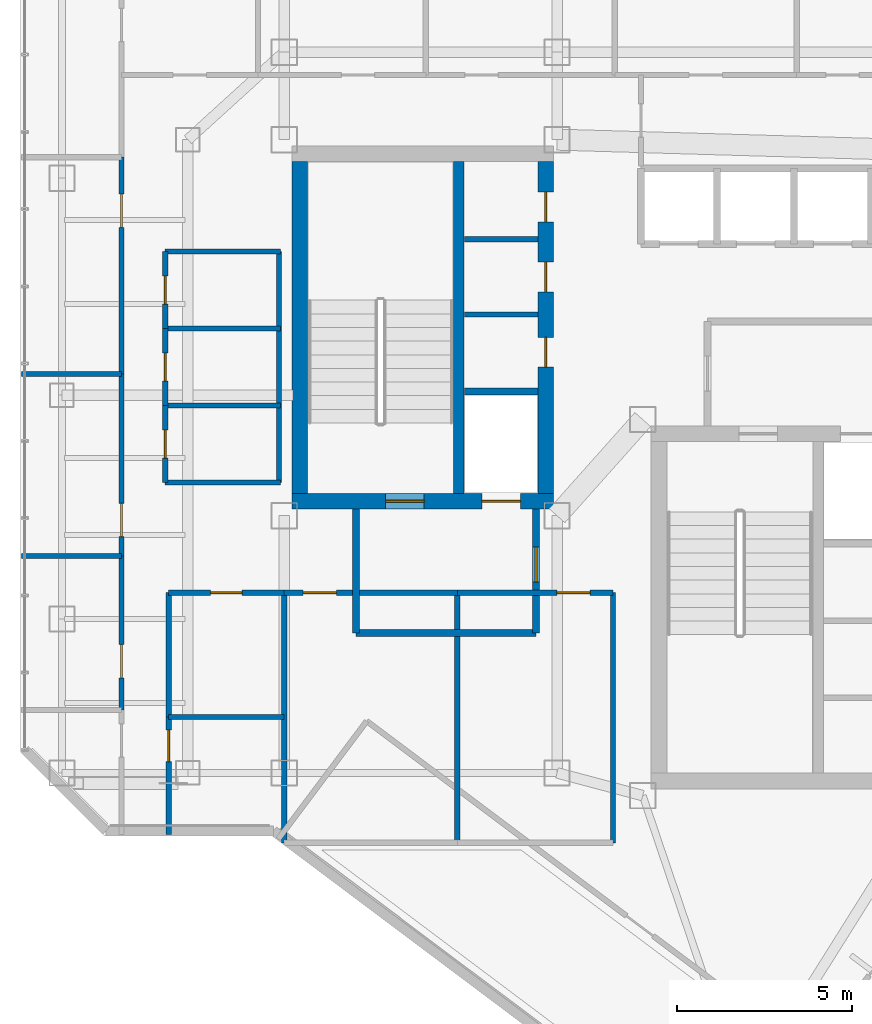
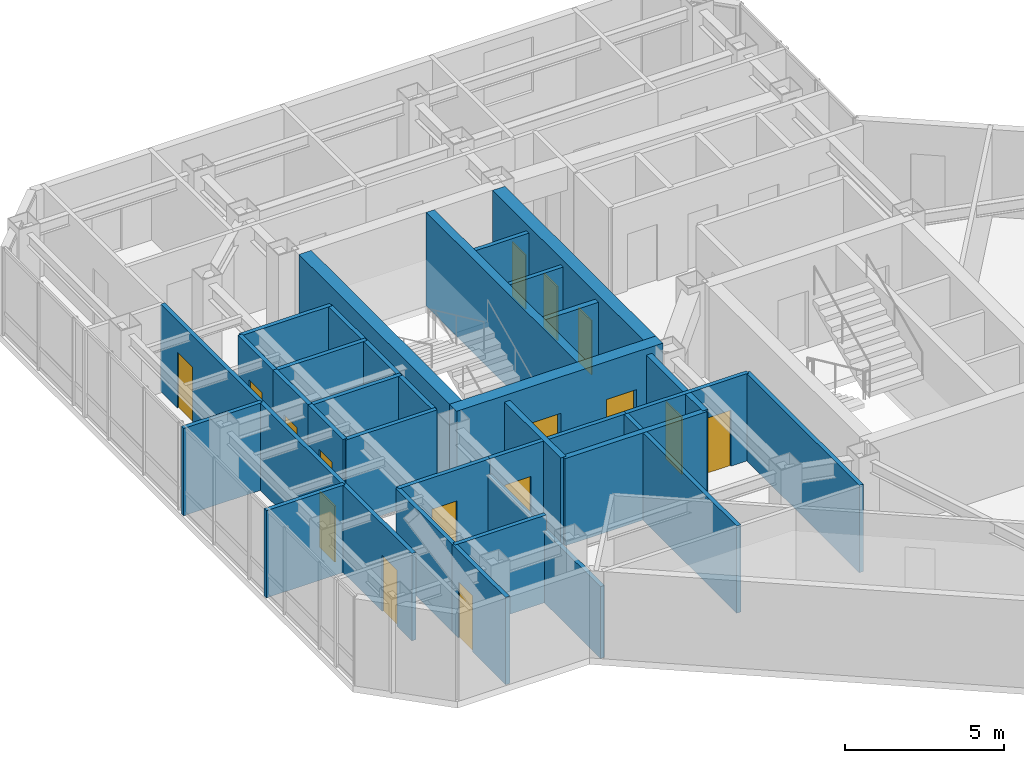
# One storey, part 20 of 26: 32 walls, 16 doors, 16 openings.
"""IFC4 building model written with IfcOpenShell, lengths in metres."""

from ifc_helpers import new_model, si_unit, direction, frame, frame_2d, origin, place, context, subcontext, project, spatial, rectangle, extrude, material, layer, layer_set, type_object, element, fill, save


model = new_model("IFC4")

# Units and contexts
model_context = context("Model", 3, precision=1e-05, world=origin(), true_north=direction((0.0, 1.0)))
body_context = subcontext(model_context, "Body", "Model", "MODEL_VIEW")
ifc_project = project(units=[si_unit("LENGTHUNIT", "METRE"), si_unit("AREAUNIT", "SQUARE_METRE"), si_unit("VOLUMEUNIT", "CUBIC_METRE"), si_unit("PLANEANGLEUNIT", "RADIAN"), si_unit("MASSUNIT", "GRAM", prefix="KILO")], contexts=[model_context])

# Site, building, storey
site_placement = place(None, origin())
site = spatial("IfcSite", under=ifc_project, at=site_placement, CompositionType="ELEMENT")
building_placement = place(site_placement, origin())
building = spatial("IfcBuilding", under=site, at=building_placement, Name="Hatsunagi Terrace Concourse", CompositionType="ELEMENT")
storey_placement = place(building_placement, frame((0.0, 0.0, 195.14990234375)))
storey = spatial("IfcBuildingStorey", under=building, at=storey_placement, Name="L51", CompositionType="ELEMENT", Elevation=195.14990234375)

# Wall, openings, doors
ifc_material_1 = material(Name="Concrete Fc42", Category="concrete")
ifc_layer_1 = layer(ifc_material_1, 0.449951171875)
ifc_layer_set_1 = layer_set([ifc_layer_1], Name="CoreShearWall_Fc42_450")
wall_type_1 = type_object("IfcWallType", Name="CoreShearWall_Fc42_450", PredefinedType="SHEAR", material=ifc_layer_set_1)
wall_1_placement = place(storey_placement, frame((25.77001953125, 32.965087890625, 0.0), z_axis=(0.0, 0.0, 1.0), x_axis=(1.0, 0.0, 0.0)))
wall_1 = element("IfcWall", 1, at=wall_1_placement, inside=storey, type_object=wall_type_1, Name="Core A Shear Wall S L51", PredefinedType="SHEAR", context=body_context, shape_type="SweptSolid", body=[
    extrude(rectangle(XDim=7.47998046875, YDim=0.449951171875, at=frame_2d((3.739990234375, 0.0))), origin(), (0.0, 0.0, 1.0), 3.60009765625),
])
opening_1_placement = place(wall_1_placement, frame((2.679931640625, 0.0, 0.0)))
opening_1 = element("IfcOpeningElement", 2, at=opening_1_placement, cuts=wall_1, Name="Opening DR-110S", PredefinedType="OPENING", context=body_context, shape_type="SweptSolid", body=[
    extrude(rectangle(XDim=1.10009765625, YDim=2.199951171875, at=frame_2d((0.550048828125, 1.10009765625))), frame((0.0, 0.23486328125, 0.0), z_axis=(0.0, -1.0, 0.0), x_axis=(1.0, 0.0, 0.0)), (0.0, 0.0, 1.0), 0.469970703125),
])
opening_2_placement = place(wall_1_placement, frame((5.429931640625, 0.0, 0.0)))
opening_2 = element("IfcOpeningElement", 3, at=opening_2_placement, cuts=wall_1, Name="Opening LD-01", PredefinedType="OPENING", context=body_context, shape_type="SweptSolid", body=[
    extrude(rectangle(XDim=1.10009765625, YDim=2.14990234375, at=frame_2d((0.550048828125, 1.074951171875))), frame((0.0, 0.23486328125, 0.0), z_axis=(0.0, -1.0, 0.0), x_axis=(1.0, 0.0, 0.0)), (0.0, 0.0, 1.0), 0.469970703125),
])
ifc_material_2 = material(Name="Stainless steel", Category="steel")
door_type_1 = type_object("IfcDoorType", Name="LiftLandingDoor_LD01", OperationType="SLIDING_TO_LEFT", PredefinedType="USERDEFINED", material=ifc_material_2)
door_1_placement = place(opening_2_placement, origin())
door_1 = element("IfcDoor", 4, at=door_1_placement, inside=storey, type_object=door_type_1, Name="Lift landing door FF-01 L51", ObjectType="SLIDING_LANDING_DOOR", OperationType="SLIDING_TO_LEFT", OverallHeight=2.14990234375, OverallWidth=1.10009765625, PredefinedType="USERDEFINED", context=body_context, shape_type="SweptSolid", body=[
    extrude(rectangle(XDim=1.10009765625, YDim=2.14990234375, at=frame_2d((0.550048828125, 1.074951171875))), frame((0.0, 0.02490234375, 0.0), z_axis=(0.0, -1.0, 0.0), x_axis=(1.0, 0.0, 0.0)), (0.0, 0.0, 1.0), 0.050048828125),
])
fill(opening_2, door_1)
ifc_material_3 = material(Name="Painted steel", Category="steel")
door_type_2 = type_object("IfcDoorType", Name="StairFireDoor_EI60_1100", OperationType="NOTDEFINED", PredefinedType="DOOR", material=ifc_material_3)
door_2_placement = place(opening_1_placement, origin())
door_2 = element("IfcDoor", 5, at=door_2_placement, inside=storey, type_object=door_type_2, Name="Stair ST-A Exit Door L51", OperationType="SINGLE_SWING_LEFT", OverallHeight=2.199951171875, OverallWidth=1.10009765625, PredefinedType="DOOR", context=body_context, shape_type="SweptSolid", body=[
    extrude(rectangle(XDim=1.10009765625, YDim=2.199951171875, at=frame_2d((0.550048828125, 1.10009765625))), frame((0.0, 0.02490234375, 0.0), z_axis=(0.0, -1.0, 0.0), x_axis=(1.0, 0.0, 0.0)), (0.0, 0.0, 1.0), 0.050048828125),
])
fill(opening_1, door_2)

# Wall
wall_2_placement = place(storey_placement, frame((25.9951171875, 33.18994140625, 0.0), z_axis=(0.0, 0.0, 1.0), x_axis=(0.0, 1.0, 0.0)))
element("IfcWall", 6, at=wall_2_placement, inside=storey, type_object=wall_type_1, Name="Core A Shear Wall W L51", PredefinedType="SHEAR", context=body_context, shape_type="SweptSolid", body=[
    extrude(rectangle(XDim=9.47998046875, YDim=0.449951171875, at=frame_2d((4.739990234375, 0.0))), origin(), (0.0, 0.0, 1.0), 3.60009765625),
])

# Wall, openings, doors
wall_3_placement = place(storey_placement, frame((33.02490234375, 33.18994140625, 0.0), z_axis=(0.0, 0.0, 1.0), x_axis=(0.0, 1.0, 0.0)))
wall_3 = element("IfcWall", 7, at=wall_3_placement, inside=storey, type_object=wall_type_1, Name="Core A Shear Wall E L51", PredefinedType="SHEAR", context=body_context, shape_type="SweptSolid", body=[
    extrude(rectangle(XDim=9.47998046875, YDim=0.449951171875, at=frame_2d((4.739990234375, 0.0))), origin(), (0.0, 0.0, 1.0), 3.60009765625),
])
opening_3_placement = place(wall_3_placement, frame((3.610107421875, 0.0, 0.0)))
opening_3 = element("IfcOpeningElement", 8, at=opening_3_placement, cuts=wall_3, Name="Opening DR-085", PredefinedType="OPENING", context=body_context, shape_type="SweptSolid", body=[
    extrude(rectangle(XDim=0.85009765625, YDim=2.080078125, at=frame_2d((0.425048828125, 1.0400390625))), frame((0.0, 0.23486328125, 0.0), z_axis=(0.0, -1.0, 0.0), x_axis=(1.0, 0.0, 0.0)), (0.0, 0.0, 1.0), 0.469970703125),
])
opening_4_placement = place(wall_3_placement, frame((5.760009765625, 0.0, 0.0)))
opening_4 = element("IfcOpeningElement", 9, at=opening_4_placement, cuts=wall_3, Name="Opening DR-085", PredefinedType="OPENING", context=body_context, shape_type="SweptSolid", body=[
    extrude(rectangle(XDim=0.85009765625, YDim=2.080078125, at=frame_2d((0.425048828125, 1.0400390625))), frame((0.0, 0.23486328125, 0.0), z_axis=(0.0, -1.0, 0.0), x_axis=(1.0, 0.0, 0.0)), (0.0, 0.0, 1.0), 0.469970703125),
])
opening_5_placement = place(wall_3_placement, frame((7.760009765625, 0.0, 0.0)))
opening_5 = element("IfcOpeningElement", 10, at=opening_5_placement, cuts=wall_3, Name="Opening DR-085", PredefinedType="OPENING", context=body_context, shape_type="SweptSolid", body=[
    extrude(rectangle(XDim=0.85009765625, YDim=2.080078125, at=frame_2d((0.425048828125, 1.0400390625))), frame((0.0, 0.23486328125, 0.0), z_axis=(0.0, -1.0, 0.0), x_axis=(1.0, 0.0, 0.0)), (0.0, 0.0, 1.0), 0.469970703125),
])
ifc_material_4 = material(Name="Painted steel", Category="steel")
door_type_3 = type_object("IfcDoorType", Name="RiserAccessDoor_EI60_850", OperationType="NOTDEFINED", PredefinedType="DOOR", material=ifc_material_4)
door_3_placement = place(opening_3_placement, origin())
door_3 = element("IfcDoor", 11, at=door_3_placement, inside=storey, type_object=door_type_3, Name="Core A Riser Door L51-1", OperationType="SINGLE_SWING_LEFT", OverallHeight=2.080078125, OverallWidth=0.85009765625, PredefinedType="DOOR", context=body_context, shape_type="SweptSolid", body=[
    extrude(rectangle(XDim=0.85009765625, YDim=2.080078125, at=frame_2d((0.425048828125, 1.0400390625))), frame((0.0, 0.02490234375, 0.0), z_axis=(0.0, -1.0, 0.0), x_axis=(1.0, 0.0, 0.0)), (0.0, 0.0, 1.0), 0.050048828125),
])
fill(opening_3, door_3)
door_4_placement = place(opening_4_placement, origin())
door_4 = element("IfcDoor", 12, at=door_4_placement, inside=storey, type_object=door_type_3, Name="Core A Riser Door L51-2", OperationType="SINGLE_SWING_LEFT", OverallHeight=2.080078125, OverallWidth=0.85009765625, PredefinedType="DOOR", context=body_context, shape_type="SweptSolid", body=[
    extrude(rectangle(XDim=0.85009765625, YDim=2.080078125, at=frame_2d((0.425048828125, 1.0400390625))), frame((0.0, 0.02490234375, 0.0), z_axis=(0.0, -1.0, 0.0), x_axis=(1.0, 0.0, 0.0)), (0.0, 0.0, 1.0), 0.050048828125),
])
fill(opening_4, door_4)
door_5_placement = place(opening_5_placement, origin())
door_5 = element("IfcDoor", 13, at=door_5_placement, inside=storey, type_object=door_type_3, Name="Core A Riser Door L51-3", OperationType="SINGLE_SWING_LEFT", OverallHeight=2.080078125, OverallWidth=0.85009765625, PredefinedType="DOOR", context=body_context, shape_type="SweptSolid", body=[
    extrude(rectangle(XDim=0.85009765625, YDim=2.080078125, at=frame_2d((0.425048828125, 1.0400390625))), frame((0.0, 0.02490234375, 0.0), z_axis=(0.0, -1.0, 0.0), x_axis=(1.0, 0.0, 0.0)), (0.0, 0.0, 1.0), 0.050048828125),
])
fill(opening_5, door_5)

# Walls
ifc_material_5 = material(Name="Concrete Fc48", Category="concrete")
ifc_layer_2 = layer(ifc_material_5, 0.300048828125)
ifc_layer_set_2 = layer_set([ifc_layer_2], Name="CoreStairDivider_Fc48_300")
wall_type_2 = type_object("IfcWallType", Name="CoreStairDivider_Fc48_300", PredefinedType="SHEAR", material=ifc_layer_set_2)
wall_4_placement = place(storey_placement, frame((30.5400390625, 33.18994140625, 0.0), z_axis=(0.0, 0.0, 1.0), x_axis=(0.0, 1.0, 0.0)))
element("IfcWall", 14, at=wall_4_placement, inside=storey, type_object=wall_type_2, Name="Core A Shear Wall D L51", PredefinedType="SHEAR", context=body_context, shape_type="SweptSolid", body=[
    extrude(rectangle(XDim=9.47998046875, YDim=0.300048828125, at=frame_2d((4.739990234375, 0.0))), origin(), (0.0, 0.0, 1.0), 3.60009765625),
])
ifc_material_6 = material(Name="Acoustic mineral board", Category="gypsum")
ifc_layer_3 = layer(ifc_material_6, 0.14990234375)
ifc_layer_set_3 = layer_set([ifc_layer_3], Name="PartitionWall_EI60_150")
wall_type_3 = type_object("IfcWallType", Name="PartitionWall_EI60_150", PredefinedType="PARTITIONING", material=ifc_layer_set_3)
for number, where, z_axis, x_axis, name in (
    (15, (30.699951171875, 38.300048828125, 0.0), (0.0, 0.0, 1.0), (1.0, 0.0, 0.0), "Interior Partition IW-L51-002"),
    (16, (30.699951171875, 40.449951171875, 0.0), (0.0, 0.0, 1.0), (1.0, 0.0, 0.0), "Interior Partition IW-L51-003"),
):
    element("IfcWall", number, at=place(storey_placement, frame(where, z_axis=z_axis, x_axis=x_axis)), inside=storey, type_object=wall_type_3, Name=name, PredefinedType="PARTITIONING", context=body_context, shape_type="SweptSolid", body=[
        extrude(rectangle(XDim=2.10009765625, YDim=0.14990234375, at=frame_2d((1.050048828125, 0.0))), origin(), (0.0, 0.0, 1.0), 3.35009765625),
    ])
for number, where, z_axis, x_axis, name in (
    (17, (22.14990234375, 33.5, 0.0), (0.0, 0.0, 1.0), (1.0, 0.0, 0.0), "Interior Partition IW-L51-019"),
    (18, (22.14990234375, 40.10009765625, 0.0), (0.0, 0.0, 1.0), (1.0, 0.0, 0.0), "Interior Partition IW-L51-020"),
):
    element("IfcWall", number, at=place(storey_placement, frame(where, z_axis=z_axis, x_axis=x_axis)), inside=storey, type_object=wall_type_3, Name=name, PredefinedType="PARTITIONING", context=body_context, shape_type="SweptSolid", body=[
        extrude(rectangle(XDim=3.300048828125, YDim=0.14990234375, at=frame_2d((1.64990234375, 0.0))), origin(), (0.0, 0.0, 1.0), 3.35009765625),
    ])
wall_5_placement = place(storey_placement, frame((25.39990234375, 33.5, 0.0), z_axis=(0.0, 0.0, 1.0), x_axis=(0.0, 1.0, 0.0)))
element("IfcWall", 19, at=wall_5_placement, inside=storey, type_object=wall_type_3, Name="Interior Partition IW-L51-021", PredefinedType="PARTITIONING", context=body_context, shape_type="SweptSolid", body=[
    extrude(rectangle(XDim=6.60009765625, YDim=0.14990234375, at=frame_2d((3.300048828125, 0.0))), origin(), (0.0, 0.0, 1.0), 3.35009765625),
])
for number, where, z_axis, x_axis, name in (
    (20, (22.14990234375, 35.699951171875, 0.0), (0.0, 0.0, 1.0), (1.0, 0.0, 0.0), "Interior Partition IW-L51-022"),
    (21, (22.14990234375, 37.89990234375, 0.0), (0.0, 0.0, 1.0), (1.0, 0.0, 0.0), "Interior Partition IW-L51-023"),
):
    element("IfcWall", number, at=place(storey_placement, frame(where, z_axis=z_axis, x_axis=x_axis)), inside=storey, type_object=wall_type_3, Name=name, PredefinedType="PARTITIONING", context=body_context, shape_type="SweptSolid", body=[
        extrude(rectangle(XDim=3.300048828125, YDim=0.14990234375, at=frame_2d((1.64990234375, 0.0))), origin(), (0.0, 0.0, 1.0), 3.35009765625),
    ])

# Wall, opening, door
wall_6_placement = place(storey_placement, frame((22.14990234375, 33.5, 0.0), z_axis=(0.0, 0.0, 1.0), x_axis=(0.0, 1.0, 0.0)))
wall_6 = element("IfcWall", 22, at=wall_6_placement, inside=storey, type_object=wall_type_3, Name="Interior Partition IW-L51-024", PredefinedType="PARTITIONING", context=body_context, shape_type="SweptSolid", body=[
    extrude(rectangle(XDim=2.199951171875, YDim=0.14990234375, at=frame_2d((1.10009765625, 0.0))), origin(), (0.0, 0.0, 1.0), 3.35009765625),
])
opening_6_placement = place(wall_6_placement, frame((0.699951171875, 0.0, 0.0)))
opening_6 = element("IfcOpeningElement", 23, at=opening_6_placement, cuts=wall_6, Name="Opening DR-080", PredefinedType="OPENING", context=body_context, shape_type="SweptSolid", body=[
    extrude(rectangle(XDim=0.800048828125, YDim=2.06005859375, at=frame_2d((0.39990234375, 1.030029296875))), frame((0.0, 0.0849609375, 0.0), z_axis=(0.0, -1.0, 0.0), x_axis=(1.0, 0.0, 0.0)), (0.0, 0.0, 1.0), 0.169921875),
])
ifc_material_7 = material(Name="Hardwood timber", Category="wood")
door_type_4 = type_object("IfcDoorType", Name="BathroomDoor_800", OperationType="NOTDEFINED", PredefinedType="DOOR", material=ifc_material_7)
door_6_placement = place(opening_6_placement, origin())
door_6 = element("IfcDoor", 24, at=door_6_placement, inside=storey, type_object=door_type_4, Name="Accessible WC Door L51", OperationType="SINGLE_SWING_RIGHT", OverallHeight=2.06005859375, OverallWidth=0.800048828125, PredefinedType="DOOR", context=body_context, shape_type="SweptSolid", body=[
    extrude(rectangle(XDim=0.800048828125, YDim=2.06005859375, at=frame_2d((0.39990234375, 1.030029296875))), frame((0.0, 0.02490234375, 0.0), z_axis=(0.0, -1.0, 0.0), x_axis=(1.0, 0.0, 0.0)), (0.0, 0.0, 1.0), 0.050048828125),
])
fill(opening_6, door_6)

wall_7_placement = place(storey_placement, frame((22.14990234375, 35.699951171875, 0.0), z_axis=(0.0, 0.0, 1.0), x_axis=(0.0, 1.0, 0.0)))
wall_7 = element("IfcWall", 25, at=wall_7_placement, inside=storey, type_object=wall_type_3, Name="Interior Partition IW-L51-025", PredefinedType="PARTITIONING", context=body_context, shape_type="SweptSolid", body=[
    extrude(rectangle(XDim=2.199951171875, YDim=0.14990234375, at=frame_2d((1.10009765625, 0.0))), origin(), (0.0, 0.0, 1.0), 3.35009765625),
])
opening_7_placement = place(wall_7_placement, frame((0.699951171875, 0.0, 0.0)))
opening_7 = element("IfcOpeningElement", 26, at=opening_7_placement, cuts=wall_7, Name="Opening DR-080", PredefinedType="OPENING", context=body_context, shape_type="SweptSolid", body=[
    extrude(rectangle(XDim=0.800048828125, YDim=2.06005859375, at=frame_2d((0.39990234375, 1.030029296875))), frame((0.0, 0.0849609375, 0.0), z_axis=(0.0, -1.0, 0.0), x_axis=(1.0, 0.0, 0.0)), (0.0, 0.0, 1.0), 0.169921875),
])
door_7_placement = place(opening_7_placement, origin())
door_7 = element("IfcDoor", 27, at=door_7_placement, inside=storey, type_object=door_type_4, Name="Female Restroom Door L51", OperationType="SINGLE_SWING_RIGHT", OverallHeight=2.06005859375, OverallWidth=0.800048828125, PredefinedType="DOOR", context=body_context, shape_type="SweptSolid", body=[
    extrude(rectangle(XDim=0.800048828125, YDim=2.06005859375, at=frame_2d((0.39990234375, 1.030029296875))), frame((0.0, 0.02490234375, 0.0), z_axis=(0.0, -1.0, 0.0), x_axis=(1.0, 0.0, 0.0)), (0.0, 0.0, 1.0), 0.050048828125),
])
fill(opening_7, door_7)

wall_8_placement = place(storey_placement, frame((22.14990234375, 37.89990234375, 0.0), z_axis=(0.0, 0.0, 1.0), x_axis=(0.0, 1.0, 0.0)))
wall_8 = element("IfcWall", 28, at=wall_8_placement, inside=storey, type_object=wall_type_3, Name="Interior Partition IW-L51-026", PredefinedType="PARTITIONING", context=body_context, shape_type="SweptSolid", body=[
    extrude(rectangle(XDim=2.2001953125, YDim=0.14990234375, at=frame_2d((1.10009765625, 0.0))), origin(), (0.0, 0.0, 1.0), 3.35009765625),
])
opening_8_placement = place(wall_8_placement, frame((0.699951171875, 0.0, 0.0)))
opening_8 = element("IfcOpeningElement", 29, at=opening_8_placement, cuts=wall_8, Name="Opening DR-080", PredefinedType="OPENING", context=body_context, shape_type="SweptSolid", body=[
    extrude(rectangle(XDim=0.800048828125, YDim=2.06005859375, at=frame_2d((0.39990234375, 1.030029296875))), frame((0.0, 0.0849609375, 0.0), z_axis=(0.0, -1.0, 0.0), x_axis=(1.0, 0.0, 0.0)), (0.0, 0.0, 1.0), 0.169921875),
])
door_8_placement = place(opening_8_placement, origin())
door_8 = element("IfcDoor", 30, at=door_8_placement, inside=storey, type_object=door_type_4, Name="Male Restroom Door L51", OperationType="SINGLE_SWING_RIGHT", OverallHeight=2.06005859375, OverallWidth=0.800048828125, PredefinedType="DOOR", context=body_context, shape_type="SweptSolid", body=[
    extrude(rectangle(XDim=0.800048828125, YDim=2.06005859375, at=frame_2d((0.39990234375, 1.030029296875))), frame((0.0, 0.02490234375, 0.0), z_axis=(0.0, -1.0, 0.0), x_axis=(1.0, 0.0, 0.0)), (0.0, 0.0, 1.0), 0.050048828125),
])
fill(opening_8, door_8)

wall_9_placement = place(storey_placement, frame((25.550048828125, 30.35009765625, 0.0), z_axis=(0.0, 0.0, 1.0), x_axis=(1.0, 0.0, 0.0)))
wall_9 = element("IfcWall", 31, at=wall_9_placement, inside=storey, type_object=wall_type_3, Name="Interior Partition IW-L51-028", PredefinedType="PARTITIONING", context=body_context, shape_type="SweptSolid", body=[
    extrude(rectangle(XDim=4.949951171875, YDim=0.14990234375, at=frame_2d((2.47509765625, 0.0))), origin(), (0.0, 0.0, 1.0), 3.35009765625),
])
opening_9_placement = place(wall_9_placement, frame((0.5419921875, 0.0, 0.0)))
opening_9 = element("IfcOpeningElement", 32, at=opening_9_placement, cuts=wall_9, Name="Opening DR-095", PredefinedType="OPENING", context=body_context, shape_type="SweptSolid", body=[
    extrude(rectangle(XDim=0.949951171875, YDim=2.14990234375, at=frame_2d((0.47509765625, 1.074951171875))), frame((0.0, 0.0849609375, 0.0), z_axis=(0.0, -1.0, 0.0), x_axis=(1.0, 0.0, 0.0)), (0.0, 0.0, 1.0), 0.169921875),
])
ifc_material_8 = material(Name="Hardwood timber", Category="wood")
door_type_5 = type_object("IfcDoorType", Name="InteriorSuiteDoor_EI30_950", OperationType="NOTDEFINED", PredefinedType="DOOR", material=ifc_material_8)
door_9_placement = place(opening_9_placement, origin())
door_9 = element("IfcDoor", 33, at=door_9_placement, inside=storey, type_object=door_type_5, Name="Design Studio L51-RECL1 Door", OperationType="SINGLE_SWING_RIGHT", OverallHeight=2.14990234375, OverallWidth=0.949951171875, PredefinedType="DOOR", context=body_context, shape_type="SweptSolid", body=[
    extrude(rectangle(XDim=0.949951171875, YDim=2.14990234375, at=frame_2d((0.47509765625, 1.074951171875))), frame((0.0, 0.02490234375, 0.0), z_axis=(0.0, -1.0, 0.0), x_axis=(1.0, 0.0, 0.0)), (0.0, 0.0, 1.0), 0.050048828125),
])
fill(opening_9, door_9)

# Walls
wall_10_placement = place(storey_placement, frame((25.550048828125, 23.199951171875, 0.0), z_axis=(0.0, 0.0, 1.0), x_axis=(0.0, 1.0, 0.0)))
element("IfcWall", 34, at=wall_10_placement, inside=storey, type_object=wall_type_3, Name="Interior Partition IW-L51-029", PredefinedType="PARTITIONING", context=body_context, shape_type="SweptSolid", body=[
    extrude(rectangle(XDim=7.150146484375, YDim=0.14990234375, at=frame_2d((3.5751953125, 0.0))), origin(), (0.0, 0.0, 1.0), 2.757080078125),
])
wall_11_placement = place(storey_placement, frame((30.5, 23.199951171875, 0.0), z_axis=(0.0, 0.0, 1.0), x_axis=(0.0, 1.0, 0.0)))
element("IfcWall", 35, at=wall_11_placement, inside=storey, type_object=wall_type_3, Name="Interior Partition IW-L51-030", PredefinedType="PARTITIONING", context=body_context, shape_type="SweptSolid", body=[
    extrude(rectangle(XDim=7.150146484375, YDim=0.14990234375, at=frame_2d((3.5751953125, 0.0))), origin(), (0.0, 0.0, 1.0), 3.35009765625),
])

# Wall, opening, door
wall_12_placement = place(storey_placement, frame((30.5, 30.35009765625, 0.0), z_axis=(0.0, 0.0, 1.0), x_axis=(1.0, 0.0, 0.0)))
wall_12 = element("IfcWall", 36, at=wall_12_placement, inside=storey, type_object=wall_type_3, Name="Interior Partition IW-L51-032", PredefinedType="PARTITIONING", context=body_context, shape_type="SweptSolid", body=[
    extrude(rectangle(XDim=4.449951171875, YDim=0.14990234375, at=frame_2d((2.22509765625, 0.0))), origin(), (0.0, 0.0, 1.0), 3.35009765625),
])
opening_10_placement = place(wall_12_placement, frame((2.845947265625, 0.0, 0.0)))
opening_10 = element("IfcOpeningElement", 37, at=opening_10_placement, cuts=wall_12, Name="Opening DR-095", PredefinedType="OPENING", context=body_context, shape_type="SweptSolid", body=[
    extrude(rectangle(XDim=0.949951171875, YDim=2.14990234375, at=frame_2d((0.47509765625, 1.074951171875))), frame((0.0, 0.0849609375, 0.0), z_axis=(0.0, -1.0, 0.0), x_axis=(1.0, 0.0, 0.0)), (0.0, 0.0, 1.0), 0.169921875),
])
door_10_placement = place(opening_10_placement, origin())
door_10 = element("IfcDoor", 38, at=door_10_placement, inside=storey, type_object=door_type_5, Name="Executive Briefing Room L51-RECL2 Door", OperationType="SINGLE_SWING_RIGHT", OverallHeight=2.14990234375, OverallWidth=0.949951171875, PredefinedType="DOOR", context=body_context, shape_type="SweptSolid", body=[
    extrude(rectangle(XDim=0.949951171875, YDim=2.14990234375, at=frame_2d((0.47509765625, 1.074951171875))), frame((0.0, 0.02490234375, 0.0), z_axis=(0.0, -1.0, 0.0), x_axis=(1.0, 0.0, 0.0)), (0.0, 0.0, 1.0), 0.050048828125),
])
fill(opening_10, door_10)

# Walls
wall_13_placement = place(storey_placement, frame((34.949951171875, 23.199951171875, 0.0), z_axis=(0.0, 0.0, 1.0), x_axis=(0.0, 1.0, 0.0)))
element("IfcWall", 39, at=wall_13_placement, inside=storey, type_object=wall_type_3, Name="Interior Partition IW-L51-033", PredefinedType="PARTITIONING", context=body_context, shape_type="SweptSolid", body=[
    extrude(rectangle(XDim=7.150146484375, YDim=0.14990234375, at=frame_2d((3.5751953125, 0.0))), origin(), (0.0, 0.0, 1.0), 3.35009765625),
])
wall_14_placement = place(storey_placement, frame((18.0400390625, 31.39990234375, 0.0), z_axis=(0.0, 0.0, 1.0), x_axis=(1.0, 0.0, 0.0)))
element("IfcWall", 40, at=wall_14_placement, inside=storey, type_object=wall_type_3, Name="Interior Partition IW-L51-036", PredefinedType="PARTITIONING", context=body_context, shape_type="SweptSolid", body=[
    extrude(rectangle(XDim=2.85986328125, YDim=0.14990234375, at=frame_2d((1.429931640625, 0.0))), origin(), (0.0, 0.0, 1.0), 3.35009765625),
])

# Wall, opening, door
wall_15_placement = place(storey_placement, frame((20.89990234375, 27.0, 0.0), z_axis=(0.0, 0.0, 1.0), x_axis=(0.0, 1.0, 0.0)))
wall_15 = element("IfcWall", 41, at=wall_15_placement, inside=storey, type_object=wall_type_3, Name="Interior Partition IW-L51-037", PredefinedType="PARTITIONING", context=body_context, shape_type="SweptSolid", body=[
    extrude(rectangle(XDim=4.39990234375, YDim=0.14990234375, at=frame_2d((2.199951171875, 0.0))), origin(), (0.0, 0.0, 1.0), 3.35009765625),
])
opening_11_placement = place(wall_15_placement, frame((0.91796875, 0.0, 0.0)))
opening_11 = element("IfcOpeningElement", 42, at=opening_11_placement, cuts=wall_15, Name="Opening DR-095", PredefinedType="OPENING", context=body_context, shape_type="SweptSolid", body=[
    extrude(rectangle(XDim=0.949951171875, YDim=2.14990234375, at=frame_2d((0.47509765625, 1.074951171875))), frame((0.0, 0.0849609375, 0.0), z_axis=(0.0, -1.0, 0.0), x_axis=(1.0, 0.0, 0.0)), (0.0, 0.0, 1.0), 0.169921875),
])
door_11_placement = place(opening_11_placement, origin())
door_11 = element("IfcDoor", 43, at=door_11_placement, inside=storey, type_object=door_type_5, Name="Executive Office L51-OW2 Door", OperationType="SINGLE_SWING_RIGHT", OverallHeight=2.14990234375, OverallWidth=0.949951171875, PredefinedType="DOOR", context=body_context, shape_type="SweptSolid", body=[
    extrude(rectangle(XDim=0.949951171875, YDim=2.14990234375, at=frame_2d((0.47509765625, 1.074951171875))), frame((0.0, 0.02490234375, 0.0), z_axis=(0.0, -1.0, 0.0), x_axis=(1.0, 0.0, 0.0)), (0.0, 0.0, 1.0), 0.050048828125),
])
fill(opening_11, door_11)

# Wall
wall_16_placement = place(storey_placement, frame((18.0400390625, 36.60009765625, 0.0), z_axis=(0.0, 0.0, 1.0), x_axis=(1.0, 0.0, 0.0)))
element("IfcWall", 44, at=wall_16_placement, inside=storey, type_object=wall_type_3, Name="Interior Partition IW-L51-038", PredefinedType="PARTITIONING", context=body_context, shape_type="SweptSolid", body=[
    extrude(rectangle(XDim=2.85986328125, YDim=0.14990234375, at=frame_2d((1.429931640625, 0.0))), origin(), (0.0, 0.0, 1.0), 3.35009765625),
])

# Wall, opening, door
wall_17_placement = place(storey_placement, frame((20.89990234375, 31.39990234375, 0.0), z_axis=(0.0, 0.0, 1.0), x_axis=(0.0, 1.0, 0.0)))
wall_17 = element("IfcWall", 45, at=wall_17_placement, inside=storey, type_object=wall_type_3, Name="Interior Partition IW-L51-039", PredefinedType="PARTITIONING", context=body_context, shape_type="SweptSolid", body=[
    extrude(rectangle(XDim=5.2001953125, YDim=0.14990234375, at=frame_2d((2.60009765625, 0.0))), origin(), (0.0, 0.0, 1.0), 3.35009765625),
])
opening_12_placement = place(wall_17_placement, frame((0.553955078125, 0.0, 0.0)))
opening_12 = element("IfcOpeningElement", 46, at=opening_12_placement, cuts=wall_17, Name="Opening DR-095", PredefinedType="OPENING", context=body_context, shape_type="SweptSolid", body=[
    extrude(rectangle(XDim=0.949951171875, YDim=2.14990234375, at=frame_2d((0.47509765625, 1.074951171875))), frame((0.0, 0.0849609375, 0.0), z_axis=(0.0, -1.0, 0.0), x_axis=(1.0, 0.0, 0.0)), (0.0, 0.0, 1.0), 0.169921875),
])
door_12_placement = place(opening_12_placement, origin())
door_12 = element("IfcDoor", 47, at=door_12_placement, inside=storey, type_object=door_type_5, Name="Meeting Room L51-OW3 Door", OperationType="SINGLE_SWING_RIGHT", OverallHeight=2.14990234375, OverallWidth=0.949951171875, PredefinedType="DOOR", context=body_context, shape_type="SweptSolid", body=[
    extrude(rectangle(XDim=0.949951171875, YDim=2.14990234375, at=frame_2d((0.47509765625, 1.074951171875))), frame((0.0, 0.02490234375, 0.0), z_axis=(0.0, -1.0, 0.0), x_axis=(1.0, 0.0, 0.0)), (0.0, 0.0, 1.0), 0.050048828125),
])
fill(opening_12, door_12)

wall_18_placement = place(storey_placement, frame((20.89990234375, 36.60009765625, 0.0), z_axis=(0.0, 0.0, 1.0), x_axis=(0.0, 1.0, 0.0)))
wall_18 = element("IfcWall", 48, at=wall_18_placement, inside=storey, type_object=wall_type_3, Name="Interior Partition IW-L51-041", PredefinedType="PARTITIONING", context=body_context, shape_type="SweptSolid", body=[
    extrude(rectangle(XDim=6.199951171875, YDim=0.14990234375, at=frame_2d((3.10009765625, 0.0))), origin(), (0.0, 0.0, 1.0), 3.35009765625),
])
opening_13_placement = place(wall_18_placement, frame((4.196044921875, 0.0, 0.0)))
opening_13 = element("IfcOpeningElement", 49, at=opening_13_placement, cuts=wall_18, Name="Opening DR-095", PredefinedType="OPENING", context=body_context, shape_type="SweptSolid", body=[
    extrude(rectangle(XDim=0.949951171875, YDim=2.14990234375, at=frame_2d((0.47509765625, 1.074951171875))), frame((0.0, 0.0849609375, 0.0), z_axis=(0.0, -1.0, 0.0), x_axis=(1.0, 0.0, 0.0)), (0.0, 0.0, 1.0), 0.169921875),
])
door_13_placement = place(opening_13_placement, origin())
door_13 = element("IfcDoor", 50, at=door_13_placement, inside=storey, type_object=door_type_5, Name="Team Innovation Studio L51-OW4 Door", OperationType="SINGLE_SWING_RIGHT", OverallHeight=2.14990234375, OverallWidth=0.949951171875, PredefinedType="DOOR", context=body_context, shape_type="SweptSolid", body=[
    extrude(rectangle(XDim=0.949951171875, YDim=2.14990234375, at=frame_2d((0.47509765625, 1.074951171875))), frame((0.0, 0.02490234375, 0.0), z_axis=(0.0, -1.0, 0.0), x_axis=(1.0, 0.0, 0.0)), (0.0, 0.0, 1.0), 0.050048828125),
])
fill(opening_13, door_13)

# Wall
wall_19_placement = place(storey_placement, frame((22.25, 26.800048828125, 0.0), z_axis=(0.0, 0.0, 1.0), x_axis=(1.0, 0.0, 0.0)))
element("IfcWall", 51, at=wall_19_placement, inside=storey, type_object=wall_type_3, Name="Interior Partition IW-L51-064", PredefinedType="PARTITIONING", context=body_context, shape_type="SweptSolid", body=[
    extrude(rectangle(XDim=3.300048828125, YDim=0.14990234375, at=frame_2d((1.64990234375, 0.0))), origin(), (0.0, 0.0, 1.0), 3.35009765625),
])

# Wall, opening, door
wall_20_placement = place(storey_placement, frame((22.25, 23.43994140625, 0.0), z_axis=(0.0, 0.0, 1.0), x_axis=(0.0, 1.0, 0.0)))
wall_20 = element("IfcWall", 52, at=wall_20_placement, inside=storey, type_object=wall_type_3, Name="Interior Partition IW-L51-065", PredefinedType="PARTITIONING", context=body_context, shape_type="SweptSolid", body=[
    extrude(rectangle(XDim=3.360107421875, YDim=0.14990234375, at=frame_2d((1.68017578125, 0.0))), origin(), (0.0, 0.0, 1.0), 3.35009765625),
])
opening_14_placement = place(wall_20_placement, frame((2.080078125, 0.0, 0.0)))
opening_14 = element("IfcOpeningElement", 53, at=opening_14_placement, cuts=wall_20, Name="Opening DR-090", PredefinedType="OPENING", context=body_context, shape_type="SweptSolid", body=[
    extrude(rectangle(XDim=0.89990234375, YDim=2.14990234375, at=frame_2d((0.449951171875, 1.074951171875))), frame((0.0, 0.0849609375, 0.0), z_axis=(0.0, -1.0, 0.0), x_axis=(1.0, 0.0, 0.0)), (0.0, 0.0, 1.0), 0.169921875),
])
ifc_material_9 = material(Name="Hardwood timber", Category="wood")
door_type_6 = type_object("IfcDoorType", Name="CrownPavilionDoor_EI30_900", OperationType="NOTDEFINED", PredefinedType="DOOR", material=ifc_material_9)
door_14_placement = place(opening_14_placement, origin())
door_14 = element("IfcDoor", 54, at=door_14_placement, inside=storey, type_object=door_type_6, Name="Private Salon L51-OCSWA Door", OperationType="SINGLE_SWING_LEFT", OverallHeight=2.14990234375, OverallWidth=0.89990234375, PredefinedType="DOOR", context=body_context, shape_type="SweptSolid", body=[
    extrude(rectangle(XDim=0.89990234375, YDim=2.14990234375, at=frame_2d((0.449951171875, 1.074951171875))), frame((0.0, 0.02490234375, 0.0), z_axis=(0.0, -1.0, 0.0), x_axis=(1.0, 0.0, 0.0)), (0.0, 0.0, 1.0), 0.050048828125),
])
fill(opening_14, door_14)

wall_21_placement = place(storey_placement, frame((22.25, 30.35009765625, 0.0), z_axis=(0.0, 0.0, 1.0), x_axis=(1.0, 0.0, 0.0)))
wall_21 = element("IfcWall", 55, at=wall_21_placement, inside=storey, type_object=wall_type_3, Name="Interior Partition IW-L51-066", PredefinedType="PARTITIONING", context=body_context, shape_type="SweptSolid", body=[
    extrude(rectangle(XDim=3.300048828125, YDim=0.14990234375, at=frame_2d((1.64990234375, 0.0))), origin(), (0.0, 0.0, 1.0), 3.35009765625),
])
opening_15_placement = place(wall_21_placement, frame((1.199951171875, 0.0, 0.0)))
opening_15 = element("IfcOpeningElement", 56, at=opening_15_placement, cuts=wall_21, Name="Opening DR-090", PredefinedType="OPENING", context=body_context, shape_type="SweptSolid", body=[
    extrude(rectangle(XDim=0.89990234375, YDim=2.14990234375, at=frame_2d((0.449951171875, 1.074951171875))), frame((0.0, 0.0849609375, 0.0), z_axis=(0.0, -1.0, 0.0), x_axis=(1.0, 0.0, 0.0)), (0.0, 0.0, 1.0), 0.169921875),
])
door_15_placement = place(opening_15_placement, origin())
door_15 = element("IfcDoor", 57, at=door_15_placement, inside=storey, type_object=door_type_6, Name="Client Consultation Room L51-OCSWB Door", OperationType="SINGLE_SWING_RIGHT", OverallHeight=2.14990234375, OverallWidth=0.89990234375, PredefinedType="DOOR", context=body_context, shape_type="SweptSolid", body=[
    extrude(rectangle(XDim=0.89990234375, YDim=2.14990234375, at=frame_2d((0.449951171875, 1.074951171875))), frame((0.0, 0.02490234375, 0.0), z_axis=(0.0, -1.0, 0.0), x_axis=(1.0, 0.0, 0.0)), (0.0, 0.0, 1.0), 0.050048828125),
])
fill(opening_15, door_15)

# Walls
wall_22_placement = place(storey_placement, frame((22.25, 26.800048828125, 0.0), z_axis=(0.0, 0.0, 1.0), x_axis=(0.0, 1.0, 0.0)))
element("IfcWall", 58, at=wall_22_placement, inside=storey, type_object=wall_type_3, Name="Interior Partition IW-L51-067", PredefinedType="PARTITIONING", context=body_context, shape_type="SweptSolid", body=[
    extrude(rectangle(XDim=3.550048828125, YDim=0.14990234375, at=frame_2d((1.77490234375, 0.0))), origin(), (0.0, 0.0, 1.0), 3.35009765625),
])
ifc_material_10 = material(Name="Acoustic mineral board", Category="gypsum")
ifc_layer_4 = layer(ifc_material_10, 0.199951171875)
ifc_layer_set_4 = layer_set([ifc_layer_4], Name="ShaftWall_EI120_200")
wall_type_4 = type_object("IfcWallType", Name="ShaftWall_EI120_200", PredefinedType="STANDARD", material=ifc_layer_set_4)
wall_23_placement = place(storey_placement, frame((30.699951171875, 36.10009765625, 0.0), z_axis=(0.0, 0.0, 1.0), x_axis=(1.0, 0.0, 0.0)))
element("IfcWall", 59, at=wall_23_placement, inside=storey, type_object=wall_type_4, Name="Interior Partition IW-L51-001", PredefinedType="STANDARD", context=body_context, shape_type="SweptSolid", body=[
    extrude(rectangle(XDim=2.10009765625, YDim=0.199951171875, at=frame_2d((1.050048828125, 0.0))), origin(), (0.0, 0.0, 1.0), 3.35009765625),
])
wall_24_placement = place(storey_placement, frame((27.60009765625, 29.199951171875, 0.0), z_axis=(0.0, 0.0, 1.0), x_axis=(1.0, 0.0, 0.0)))
element("IfcWall", 60, at=wall_24_placement, inside=storey, type_object=wall_type_4, Name="Interior Partition IW-L51-007", PredefinedType="STANDARD", context=body_context, shape_type="SweptSolid", body=[
    extrude(rectangle(XDim=5.14990234375, YDim=0.199951171875, at=frame_2d((2.574951171875, 0.0))), origin(), (0.0, 0.0, 1.0), 3.35009765625),
])
wall_25_placement = place(storey_placement, frame((27.60009765625, 29.199951171875, 0.0), z_axis=(0.0, 0.0, 1.0), x_axis=(0.0, 1.0, 0.0)))
element("IfcWall", 61, at=wall_25_placement, inside=storey, type_object=wall_type_4, Name="Interior Partition IW-L51-008", PredefinedType="STANDARD", context=body_context, shape_type="SweptSolid", body=[
    extrude(rectangle(XDim=3.5400390625, YDim=0.199951171875, at=frame_2d((1.77001953125, 0.0))), origin(), (0.0, 0.0, 1.0), 3.35009765625),
])

# Wall, opening, door
wall_26_placement = place(storey_placement, frame((32.75, 29.199951171875, 0.0), z_axis=(0.0, 0.0, 1.0), x_axis=(0.0, 1.0, 0.0)))
wall_26 = element("IfcWall", 62, at=wall_26_placement, inside=storey, type_object=wall_type_4, Name="Interior Partition IW-L51-009", PredefinedType="STANDARD", context=body_context, shape_type="SweptSolid", body=[
    extrude(rectangle(XDim=3.5400390625, YDim=0.199951171875, at=frame_2d((1.77001953125, 0.0))), origin(), (0.0, 0.0, 1.0), 3.35009765625),
])
opening_16_placement = place(wall_26_placement, frame((1.449951171875, 0.0, 0.0)))
opening_16 = element("IfcOpeningElement", 63, at=opening_16_placement, cuts=wall_26, Name="Opening DR-100F", PredefinedType="OPENING", context=body_context, shape_type="SweptSolid", body=[
    extrude(rectangle(XDim=1.0, YDim=2.199951171875, at=frame_2d((0.5, 1.10009765625))), frame((0.0, 0.10986328125, 0.0), z_axis=(0.0, -1.0, 0.0), x_axis=(1.0, 0.0, 0.0)), (0.0, 0.0, 1.0), 0.219970703125),
])
ifc_material_11 = material(Name="Painted steel", Category="steel")
door_type_7 = type_object("IfcDoorType", Name="FireDoor_EI60_1000", OperationType="NOTDEFINED", PredefinedType="DOOR", material=ifc_material_11)
door_16_placement = place(opening_16_placement, origin())
door_16 = element("IfcDoor", 64, at=door_16_placement, inside=storey, type_object=door_type_7, Name="Firefighting Lobby A Door L51", OperationType="SINGLE_SWING_RIGHT", OverallHeight=2.199951171875, OverallWidth=1.0, PredefinedType="DOOR", context=body_context, shape_type="SweptSolid", body=[
    extrude(rectangle(XDim=1.0, YDim=2.199951171875, at=frame_2d((0.5, 1.10009765625))), frame((0.0, 0.02490234375, 0.0), z_axis=(0.0, -1.0, 0.0), x_axis=(1.0, 0.0, 0.0)), (0.0, 0.0, 1.0), 0.050048828125),
])
fill(opening_16, door_16)

save(model, "model.ifc")
